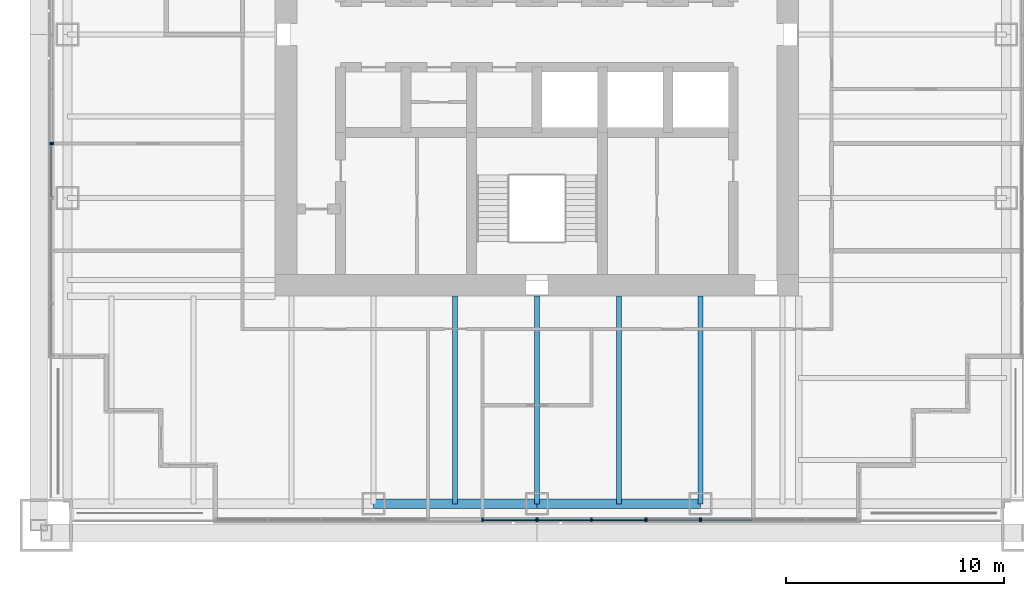
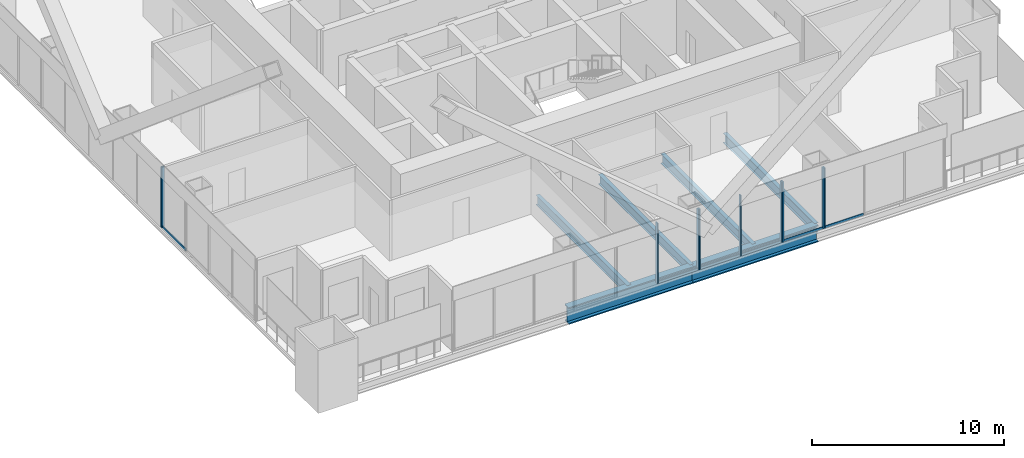
# One storey, part 4 of 19: 16 members, 6 beams, 6 elements without a shape of their own.
"""IFC4 building model written with IfcOpenShell, lengths in metres."""

from ifc_helpers import new_model, si_unit, direction, frame, origin, origin_2d, place, context, subcontext, project, spatial, rectangle, i_section, extrude, material, material_profile, profile_set, type_object, element, aggregate, save


model = new_model("IFC4")

# Units and contexts
model_context = context("Model", 3, precision=1e-05, world=origin(), true_north=direction((0.0, 1.0)))
body_context = subcontext(model_context, "Body", "Model", "MODEL_VIEW")
ifc_project = project(units=[si_unit("LENGTHUNIT", "METRE"), si_unit("AREAUNIT", "SQUARE_METRE"), si_unit("VOLUMEUNIT", "CUBIC_METRE"), si_unit("PLANEANGLEUNIT", "RADIAN"), si_unit("MASSUNIT", "GRAM", prefix="KILO")], contexts=[model_context])

# Site, building, storey
site_placement = place(None, origin())
site = spatial("IfcSite", under=ifc_project, at=site_placement, CompositionType="ELEMENT")
building_placement = place(site_placement, origin())
building = spatial("IfcBuilding", under=site, at=building_placement, Name="Tarangal Relay Tower", CompositionType="ELEMENT")
storey_placement = place(building_placement, frame((0.0, 0.0, 193.89990234375)))
storey = spatial("IfcBuildingStorey", under=building, at=storey_placement, Name="L40", CompositionType="ELEMENT", Elevation=193.89990234375)

# Beams
ifc_material_1 = material(Name="Steel ASTM A992", Category="steel")
ifc_material_profile_1 = material_profile(ifc_material_1, i_section(OverallWidth=0.41650390625, OverallDepth=1.0693359375, WebThickness=0.0390625, FlangeThickness=0.070068359375, at=origin_2d()), Name="W40X503")
ifc_profile_set_1 = profile_set([ifc_material_profile_1], Name="Steel ASTM A992")
beam_type_1 = type_object("IfcBeamType", Name="Edge girder W40X503", PredefinedType="SPANDREL", material=ifc_profile_set_1)
for number, where, z_axis, x_axis, name in (
    (1, (7.5, -21.514892578125, -0.6845703125), (-1.0, 0.0, 0.0), (0.0, -1.0, 0.0), "Edge girder EG8 S L40"),
    (2, (0.0, -21.514892578125, -0.6845703125), (-1.0, 0.0, 0.0), (0.0, -1.0, 0.0), "Edge girder EG8 S L40"),
):
    element("IfcBeam", number, at=place(storey_placement, frame(where, z_axis=z_axis, x_axis=x_axis)), inside=storey, type_object=beam_type_1, Name=name, PredefinedType="SPANDREL", context=body_context, shape_type="SweptSolid", body=[
        extrude(i_section(OverallWidth=0.41650390625, OverallDepth=1.0693359375, WebThickness=0.0390625, FlangeThickness=0.070068359375, at=origin_2d()), origin(), (0.0, 0.0, 1.0), 7.5),
    ])
ifc_material_profile_2 = material_profile(ifc_material_1, i_section(OverallWidth=0.22900390625, OverallDepth=0.612060546875, WebThickness=0.011962890625, FlangeThickness=0.01953125, at=origin_2d()), Name="W24X84")
ifc_profile_set_2 = profile_set([ifc_material_profile_2], Name="Steel ASTM A992")
beam_type_2 = type_object("IfcBeamType", Name="Floor beam W24X84", PredefinedType="BEAM", material=ifc_profile_set_2)
for number, where, z_axis, x_axis, name in (
    (3, (7.5, -12.0, -0.455810546875), (0.0, -1.0, 0.0), (1.0, 0.0, 0.0), "Floor beam RB12 S L40"),
    (4, (3.75, -12.0, -0.455810546875), (0.0, -1.0, 0.0), (1.0, 0.0, 0.0), "Floor beam RB12 S L40"),
    (5, (0.0, -12.0, -0.455810546875), (0.0, -1.0, 0.0), (1.0, 0.0, 0.0), "Floor beam RB12 S L40"),
    (6, (-3.75, -12.0, -0.455810546875), (0.0, -1.0, 0.0), (1.0, 0.0, 0.0), "Floor beam RB12 S L40"),
):
    element("IfcBeam", number, at=place(storey_placement, frame(where, z_axis=z_axis, x_axis=x_axis)), inside=storey, type_object=beam_type_2, Name=name, PredefinedType="BEAM", context=body_context, shape_type="SweptSolid", body=[
        extrude(i_section(OverallWidth=0.22900390625, OverallDepth=0.612060546875, WebThickness=0.011962890625, FlangeThickness=0.01953125, at=origin_2d()), origin(), (0.0, 0.0, 1.0), 9.514892578125),
    ])

# Curtain wall, member
ifc_material_2 = material(Name="Unitised curtain wall, dark glass and black aluminium", Category="aluminium")
curtain_wall_type_1 = type_object("IfcCurtainWallType", Name="Curtain wall CW-A", PredefinedType="USERDEFINED", material=ifc_material_2)
curtain_wall_1_placement = place(storey_placement, origin())
curtain_wall_1 = element("IfcCurtainWall", 7, at=curtain_wall_1_placement, inside=storey, type_object=curtain_wall_type_1, Name="Curtain wall CW-A S facade L40", ObjectType="UNITISED CURTAIN WALL", PredefinedType="USERDEFINED")
ifc_material_3 = material(Name="Black anodised aluminium mullion", Category="aluminium")
ifc_material_profile_3 = material_profile(ifc_material_3, rectangle(XDim=0.175048828125, YDim=0.06494140625, at=origin_2d()), Name="CW-AM 65X175")
ifc_profile_set_3 = profile_set([ifc_material_profile_3], Name="Black anodised aluminium mullion")
member_type_1 = type_object("IfcMemberType", Name="Mullion CW-A 65 x 175", PredefinedType="MULLION", material=ifc_profile_set_3)
member_1_placement = place(storey_placement, frame((7.532470703125, -22.25, 0.0), z_axis=(0.0, 0.0, 1.0), x_axis=(0.0, -1.0, 0.0)))
member_1 = element("IfcMember", 8, at=member_1_placement, type_object=member_type_1, Name="CW-A mullion 4", PredefinedType="MULLION", context=body_context, shape_type="SweptSolid", body=[
    extrude(rectangle(XDim=0.175048828125, YDim=0.06494140625, at=origin_2d()), origin(), (0.0, 0.0, 1.0), 3.85009765625),
])

# Curtain wall, members
curtain_wall_2_placement = place(storey_placement, origin())
curtain_wall_2 = element("IfcCurtainWall", 9, at=curtain_wall_2_placement, inside=storey, type_object=curtain_wall_type_1, Name="Curtain wall CW-A S facade L40", ObjectType="UNITISED CURTAIN WALL", PredefinedType="USERDEFINED")
member_2_placement = place(storey_placement, frame((7.467529296875, -22.25, 0.0), z_axis=(0.0, 0.0, 1.0), x_axis=(0.0, -1.0, 0.0)))
member_2 = element("IfcMember", 10, at=member_2_placement, type_object=member_type_1, Name="CW-A mullion 1", PredefinedType="MULLION", context=body_context, shape_type="SweptSolid", body=[
    extrude(rectangle(XDim=0.175048828125, YDim=0.06494140625, at=origin_2d()), origin(), (0.0, 0.0, 1.0), 3.85009765625),
])
member_3_placement = place(storey_placement, frame((5.032470703125, -22.25, 0.0), z_axis=(0.0, 0.0, 1.0), x_axis=(0.0, -1.0, 0.0)))
member_3 = element("IfcMember", 11, at=member_3_placement, type_object=member_type_1, Name="CW-A mullion 2", PredefinedType="MULLION", context=body_context, shape_type="SweptSolid", body=[
    extrude(rectangle(XDim=0.175048828125, YDim=0.06494140625, at=origin_2d()), origin(), (0.0, 0.0, 1.0), 3.85009765625),
])

# Curtain wall, member
curtain_wall_3_placement = place(storey_placement, origin())
curtain_wall_3 = element("IfcCurtainWall", 12, at=curtain_wall_3_placement, inside=storey, type_object=curtain_wall_type_1, Name="Curtain wall CW-A W facade L40", ObjectType="UNITISED CURTAIN WALL", PredefinedType="USERDEFINED")
member_4_placement = place(storey_placement, frame((-22.25, -5.032470703125, 0.0), z_axis=(0.0, 0.0, 1.0), x_axis=(-1.0, 0.0, 0.0)))
member_4 = element("IfcMember", 13, at=member_4_placement, type_object=member_type_1, Name="CW-A mullion 2", PredefinedType="MULLION", context=body_context, shape_type="SweptSolid", body=[
    extrude(rectangle(XDim=0.175048828125, YDim=0.06494140625, at=origin_2d()), origin(), (0.0, 0.0, 1.0), 3.85009765625),
])

# Curtain wall, members
ifc_material_4 = material(Name="Unitised curtain wall frame, black aluminium, with metal clad infill walls", Category="aluminium")
curtain_wall_type_2 = type_object("IfcCurtainWallType", Name="Curtain wall CW-AO", PredefinedType="USERDEFINED", material=ifc_material_4)
curtain_wall_4_placement = place(storey_placement, origin())
curtain_wall_4 = element("IfcCurtainWall", 14, at=curtain_wall_4_placement, inside=storey, type_object=curtain_wall_type_2, Name="Curtain wall CW-AO S facade L40", ObjectType="UNITISED CURTAIN WALL", PredefinedType="USERDEFINED")
ifc_material_profile_4 = material_profile(ifc_material_3, rectangle(XDim=0.175048828125, YDim=0.06494140625, at=origin_2d()), Name="CW-AOM 65X175")
ifc_profile_set_4 = profile_set([ifc_material_profile_4], Name="Black anodised aluminium mullion")
member_type_2 = type_object("IfcMemberType", Name="Mullion CW-AO 65 x 175", PredefinedType="MULLION", material=ifc_profile_set_4)
member_5_placement = place(storey_placement, frame((4.967529296875, -22.25, 0.0), z_axis=(0.0, 0.0, 1.0), x_axis=(0.0, -1.0, 0.0)))
member_5 = element("IfcMember", 15, at=member_5_placement, type_object=member_type_2, Name="CW-AO mullion 1", PredefinedType="MULLION", context=body_context, shape_type="SweptSolid", body=[
    extrude(rectangle(XDim=0.175048828125, YDim=0.06494140625, at=origin_2d()), origin(), (0.0, 0.0, 1.0), 3.85009765625),
])
member_6_placement = place(storey_placement, frame((2.5, -22.25, 0.0), z_axis=(0.0, 0.0, 1.0), x_axis=(0.0, -1.0, 0.0)))
member_6 = element("IfcMember", 16, at=member_6_placement, type_object=member_type_2, Name="CW-AO mullion 2", PredefinedType="MULLION", context=body_context, shape_type="SweptSolid", body=[
    extrude(rectangle(XDim=0.175048828125, YDim=0.06494140625, at=origin_2d()), origin(), (0.0, 0.0, 1.0), 3.85009765625),
])
member_7_placement = place(storey_placement, frame((0.032470703125, -22.25, 0.0), z_axis=(0.0, 0.0, 1.0), x_axis=(0.0, -1.0, 0.0)))
member_7 = element("IfcMember", 17, at=member_7_placement, type_object=member_type_2, Name="CW-AO mullion 3", PredefinedType="MULLION", context=body_context, shape_type="SweptSolid", body=[
    extrude(rectangle(XDim=0.175048828125, YDim=0.06494140625, at=origin_2d()), origin(), (0.0, 0.0, 1.0), 3.85009765625),
])

curtain_wall_5_placement = place(storey_placement, origin())
curtain_wall_5 = element("IfcCurtainWall", 18, at=curtain_wall_5_placement, inside=storey, type_object=curtain_wall_type_2, Name="Curtain wall CW-AO S facade L40", ObjectType="UNITISED CURTAIN WALL", PredefinedType="USERDEFINED")
member_8_placement = place(storey_placement, frame((-0.032470703125, -22.25, 0.0), z_axis=(0.0, 0.0, 1.0), x_axis=(0.0, -1.0, 0.0)))
member_8 = element("IfcMember", 19, at=member_8_placement, type_object=member_type_2, Name="CW-AO mullion 1", PredefinedType="MULLION", context=body_context, shape_type="SweptSolid", body=[
    extrude(rectangle(XDim=0.175048828125, YDim=0.06494140625, at=origin_2d()), origin(), (0.0, 0.0, 1.0), 3.85009765625),
])
member_9_placement = place(storey_placement, frame((-2.5, -22.25, 0.0), z_axis=(0.0, 0.0, 1.0), x_axis=(0.0, -1.0, 0.0)))
member_9 = element("IfcMember", 20, at=member_9_placement, type_object=member_type_2, Name="CW-AO mullion 2", PredefinedType="MULLION", context=body_context, shape_type="SweptSolid", body=[
    extrude(rectangle(XDim=0.175048828125, YDim=0.06494140625, at=origin_2d()), origin(), (0.0, 0.0, 1.0), 3.85009765625),
])

# Curtain wall, member
curtain_wall_6_placement = place(storey_placement, origin())
curtain_wall_6 = element("IfcCurtainWall", 21, at=curtain_wall_6_placement, inside=storey, type_object=curtain_wall_type_2, Name="Curtain wall CW-AO W facade L40", ObjectType="UNITISED CURTAIN WALL", PredefinedType="USERDEFINED")
member_10_placement = place(storey_placement, frame((-22.25, -4.967529296875, 0.0), z_axis=(0.0, 0.0, 1.0), x_axis=(-1.0, 0.0, 0.0)))
member_10 = element("IfcMember", 22, at=member_10_placement, type_object=member_type_2, Name="CW-AO mullion 1", PredefinedType="MULLION", context=body_context, shape_type="SweptSolid", body=[
    extrude(rectangle(XDim=0.175048828125, YDim=0.06494140625, at=origin_2d()), origin(), (0.0, 0.0, 1.0), 3.85009765625),
])
aggregate(curtain_wall_6, [member_10])

# Member
ifc_material_5 = material(Name="Black anodised aluminium transom", Category="aluminium")
ifc_material_profile_5 = material_profile(ifc_material_5, rectangle(XDim=0.06494140625, YDim=0.14990234375, at=origin_2d()), Name="CW-AT 65X150")
ifc_profile_set_5 = profile_set([ifc_material_profile_5], Name="Black anodised aluminium transom")
member_type_3 = type_object("IfcMemberType", Name="Transom CW-A 65 x 150", PredefinedType="USERDEFINED", material=ifc_profile_set_5)
member_11_placement = place(storey_placement, frame((9.88427734375, -22.25, 0.03271484375), z_axis=(-1.0, 0.0, 0.0), x_axis=(0.0, -1.0, 0.0)))
member_11 = element("IfcMember", 23, at=member_11_placement, type_object=member_type_3, Name="CW-A transom 3.1", ObjectType="TRANSOM", PredefinedType="USERDEFINED", context=body_context, shape_type="SweptSolid", body=[
    extrude(rectangle(XDim=0.06494140625, YDim=0.14990234375, at=origin_2d()), origin(), (0.0, 0.0, 1.0), 2.3193359375),
])

aggregate(curtain_wall_1, [member_1, member_11])

member_12_placement = place(storey_placement, frame((7.43505859375, -22.25, 0.03271484375), z_axis=(-1.0, 0.0, 0.0), x_axis=(0.0, -1.0, 0.0)))
member_12 = element("IfcMember", 24, at=member_12_placement, type_object=member_type_3, Name="CW-A transom 1.1", ObjectType="TRANSOM", PredefinedType="USERDEFINED", context=body_context, shape_type="SweptSolid", body=[
    extrude(rectangle(XDim=0.06494140625, YDim=0.14990234375, at=origin_2d()), origin(), (0.0, 0.0, 1.0), 2.3701171875),
])

aggregate(curtain_wall_2, [member_2, member_3, member_12])

member_13_placement = place(storey_placement, frame((-22.25, -7.43505859375, 0.03271484375), z_axis=(0.0, 1.0, 0.0), x_axis=(-1.0, 0.0, 0.0)))
member_13 = element("IfcMember", 25, at=member_13_placement, type_object=member_type_3, Name="CW-A transom 1.1", ObjectType="TRANSOM", PredefinedType="USERDEFINED", context=body_context, shape_type="SweptSolid", body=[
    extrude(rectangle(XDim=0.06494140625, YDim=0.14990234375, at=origin_2d()), origin(), (0.0, 0.0, 1.0), 2.3701171875),
])

aggregate(curtain_wall_3, [member_4, member_13])

ifc_material_profile_6 = material_profile(ifc_material_5, rectangle(XDim=0.06494140625, YDim=0.14990234375, at=origin_2d()), Name="CW-AOT 65X150")
ifc_profile_set_6 = profile_set([ifc_material_profile_6], Name="Black anodised aluminium transom")
member_type_4 = type_object("IfcMemberType", Name="Transom CW-AO 65 x 150", PredefinedType="USERDEFINED", material=ifc_profile_set_6)
member_14_placement = place(storey_placement, frame((4.93505859375, -22.25, 0.03271484375), z_axis=(-1.0, 0.0, 0.0), x_axis=(0.0, -1.0, 0.0)))
member_14 = element("IfcMember", 26, at=member_14_placement, type_object=member_type_4, Name="CW-AO transom 1.1", ObjectType="TRANSOM", PredefinedType="USERDEFINED", context=body_context, shape_type="SweptSolid", body=[
    extrude(rectangle(XDim=0.06494140625, YDim=0.14990234375, at=origin_2d()), origin(), (0.0, 0.0, 1.0), 2.402587890625),
])

member_15_placement = place(storey_placement, frame((2.467529296875, -22.25, 0.03271484375), z_axis=(-1.0, 0.0, 0.0), x_axis=(0.0, -1.0, 0.0)))
member_15 = element("IfcMember", 27, at=member_15_placement, type_object=member_type_4, Name="CW-AO transom 2.1", ObjectType="TRANSOM", PredefinedType="USERDEFINED", context=body_context, shape_type="SweptSolid", body=[
    extrude(rectangle(XDim=0.06494140625, YDim=0.14990234375, at=origin_2d()), origin(), (0.0, 0.0, 1.0), 2.402587890625),
])

aggregate(curtain_wall_4, [member_5, member_6, member_7, member_14, member_15])

member_16_placement = place(storey_placement, frame((-0.06494140625, -22.25, 0.03271484375), z_axis=(-1.0, 0.0, 0.0), x_axis=(0.0, -1.0, 0.0)))
member_16 = element("IfcMember", 28, at=member_16_placement, type_object=member_type_4, Name="CW-AO transom 1.1", ObjectType="TRANSOM", PredefinedType="USERDEFINED", context=body_context, shape_type="SweptSolid", body=[
    extrude(rectangle(XDim=0.06494140625, YDim=0.14990234375, at=origin_2d()), origin(), (0.0, 0.0, 1.0), 2.402587890625),
])

aggregate(curtain_wall_5, [member_8, member_9, member_16])

save(model, "model.ifc")
